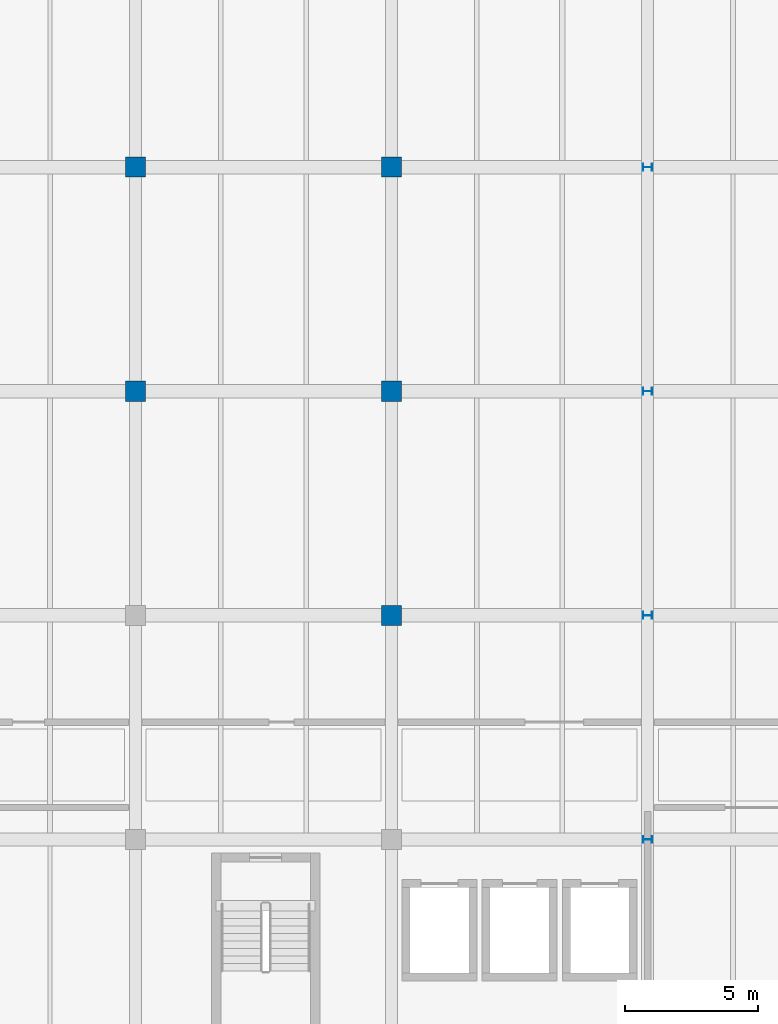
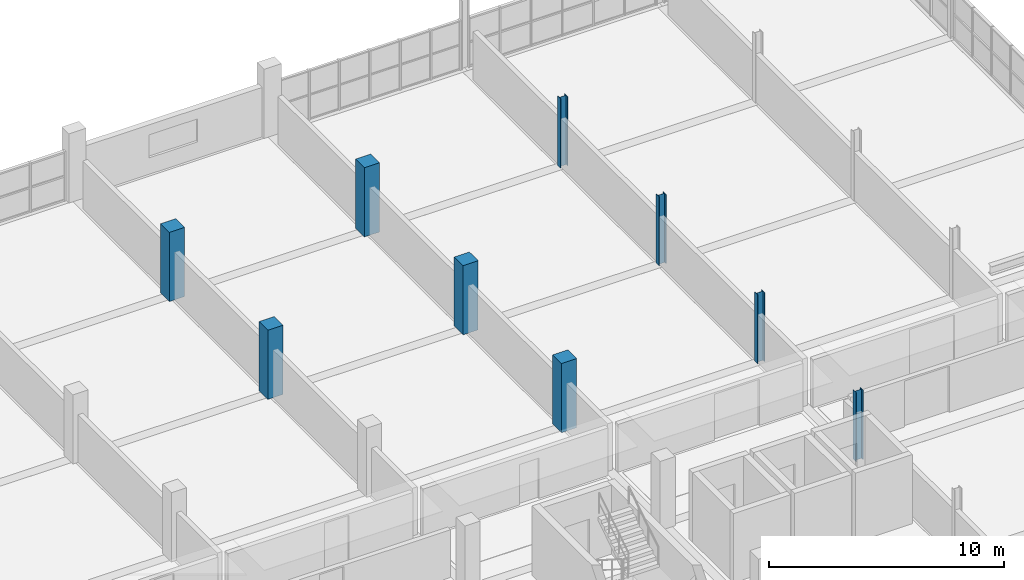
# One storey, part 9 of 147: 9 columns.
"""IFC4 building model written with IfcOpenShell, lengths in metres."""

from ifc_helpers import new_model, si_unit, direction, frame, origin, origin_2d, place, context, subcontext, project, spatial, rectangle, i_section, extrude, material, material_profile, profile_set, type_object, element, save


model = new_model("IFC4")

# Units and contexts
model_context = context("Model", 3, precision=1e-05, world=origin(), true_north=direction((0.0, 1.0)))
body_context = subcontext(model_context, "Body", "Model", "MODEL_VIEW")
ifc_project = project(units=[si_unit("LENGTHUNIT", "METRE"), si_unit("AREAUNIT", "SQUARE_METRE"), si_unit("VOLUMEUNIT", "CUBIC_METRE"), si_unit("PLANEANGLEUNIT", "RADIAN"), si_unit("MASSUNIT", "GRAM", prefix="KILO")], contexts=[model_context])

# Site, building, storey
site_placement = place(None, origin())
site = spatial("IfcSite", under=ifc_project, at=site_placement, CompositionType="ELEMENT")
building_placement = place(site_placement, origin())
building = spatial("IfcBuilding", under=site, at=building_placement, Name="Oolite Switchyard Hospital", CompositionType="ELEMENT")
storey_placement = place(building_placement, frame((0.0, 0.0, 9.89990234375)))
storey = spatial("IfcBuildingStorey", under=building, at=storey_placement, Name="L02", CompositionType="ELEMENT", Elevation=9.89990234375)

# Columns
ifc_material_1 = material(Name="Concrete C50/60", Category="concrete")
ifc_material_profile_1 = material_profile(ifc_material_1, rectangle(XDim=0.75, YDim=0.75, at=origin_2d()), Name="RC750X750")
ifc_profile_set_1 = profile_set([ifc_material_profile_1], Name="Concrete C50/60")
column_type_1 = type_object("IfcColumnType", Name="COL-RC750", PredefinedType="COLUMN", material=ifc_profile_set_1)
for number, where, z_axis, x_axis, name in (
    (1, (38.39990234375, 117.60009765625, 0.0), (0.0, 0.0, 1.0), (1.0, 0.0, 0.0), "L02 Column 706"),
    (2, (38.39990234375, 126.0, 0.0), (0.0, 0.0, 1.0), (1.0, 0.0, 0.0), "L02 Column 707"),
    (3, (48.0, 109.199951171875, 0.0), (0.0, 0.0, 1.0), (1.0, 0.0, 0.0), "L02 Column 718"),
    (4, (48.0, 117.60009765625, 0.0), (0.0, 0.0, 1.0), (1.0, 0.0, 0.0), "L02 Column 719"),
    (5, (48.0, 126.0, 0.0), (0.0, 0.0, 1.0), (1.0, 0.0, 0.0), "L02 Column 720"),
):
    element("IfcColumn", number, at=place(storey_placement, frame(where, z_axis=z_axis, x_axis=x_axis)), inside=storey, type_object=column_type_1, Name=name, PredefinedType="COLUMN", context=body_context, shape_type="SweptSolid", body=[
        extrude(rectangle(XDim=0.75, YDim=0.75, at=origin_2d()), origin(), (0.0, 0.0, 1.0), 3.60009765625),
    ])
ifc_material_2 = material(Name="Steel ASTM A992 Grade 50", Category="steel")
ifc_material_profile_2 = material_profile(ifc_material_2, i_section(OverallWidth=0.25390625, OverallDepth=0.35595703125, WebThickness=0.010986328125, FlangeThickness=0.01806640625, at=origin_2d()), Name="W14X68")
ifc_profile_set_2 = profile_set([ifc_material_profile_2], Name="Steel ASTM A992 Grade 50")
column_type_2 = type_object("IfcColumnType", Name="COL-STL14X68", PredefinedType="COLUMN", material=ifc_profile_set_2)
for number, where, z_axis, x_axis, name in (
    (6, (57.60009765625, 100.800048828125, 0.0), (0.0, 0.0, 1.0), (0.0, -1.0, 0.0), "L02 Column 730"),
    (7, (57.60009765625, 109.199951171875, 0.0), (0.0, 0.0, 1.0), (0.0, -1.0, 0.0), "L02 Column 731"),
    (8, (57.60009765625, 117.60009765625, 0.0), (0.0, 0.0, 1.0), (0.0, -1.0, 0.0), "L02 Column 732"),
    (9, (57.60009765625, 126.0, 0.0), (0.0, 0.0, 1.0), (0.0, -1.0, 0.0), "L02 Column 733"),
):
    element("IfcColumn", number, at=place(storey_placement, frame(where, z_axis=z_axis, x_axis=x_axis)), inside=storey, type_object=column_type_2, Name=name, PredefinedType="COLUMN", context=body_context, shape_type="SweptSolid", body=[
        extrude(i_section(OverallWidth=0.25390625, OverallDepth=0.35595703125, WebThickness=0.010986328125, FlangeThickness=0.01806640625, at=origin_2d()), origin(), (0.0, 0.0, 1.0), 3.60009765625),
    ])

save(model, "model.ifc")
